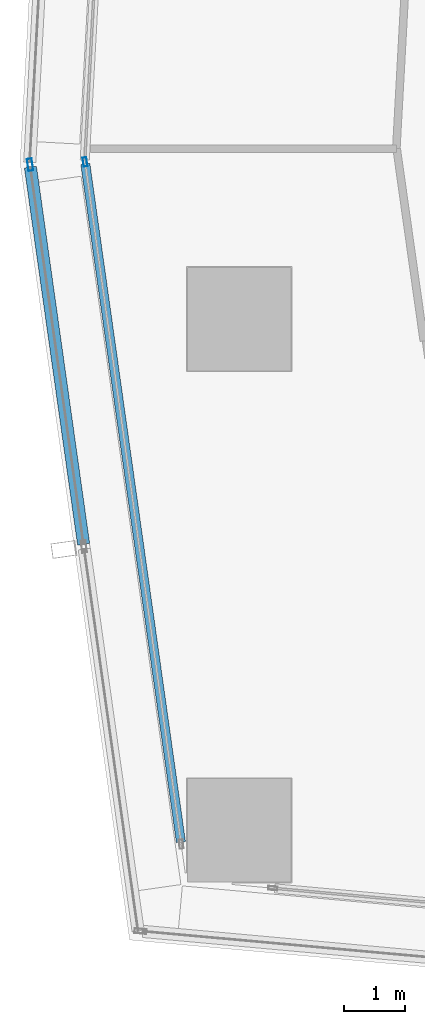
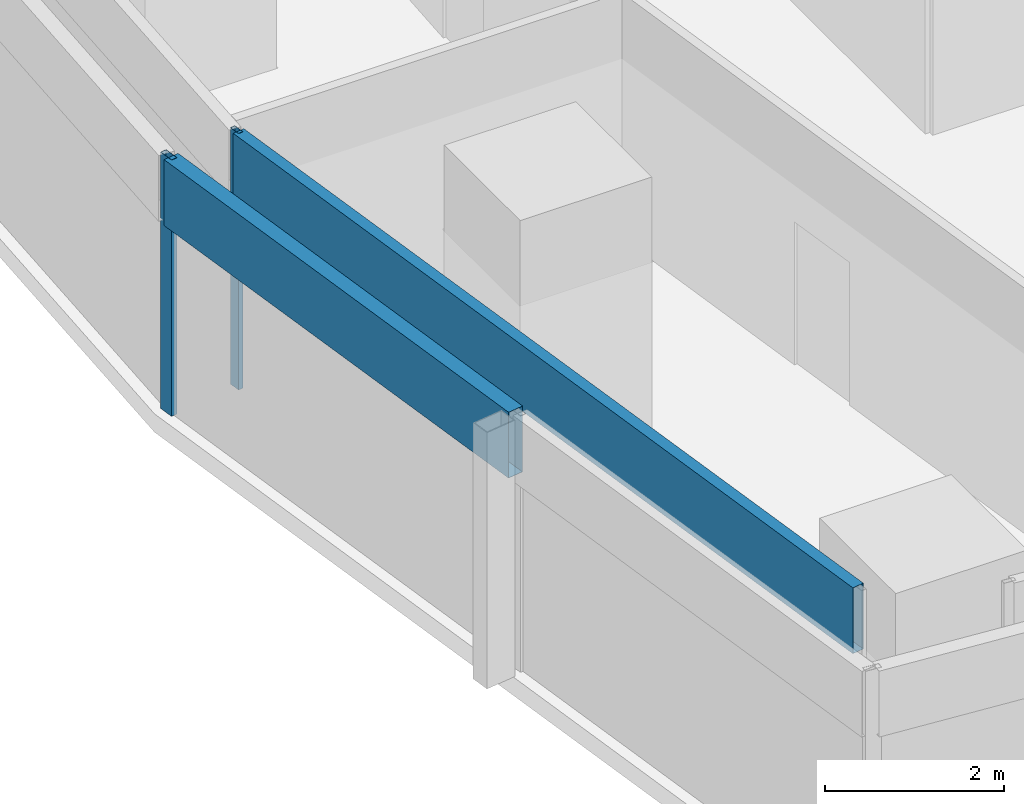
# One storey, part 4 of 40: 4 members, 2 elements without a shape of their own.
"""IFC4 building model written with IfcOpenShell, lengths in metres."""

from ifc_helpers import new_model, si_unit, direction, frame, origin, origin_2d, place, context, subcontext, project, spatial, hollow_rectangle, extrude, material, material_profile, profile_set, type_object, element, aggregate, save


model = new_model("IFC4")

# Units and contexts
model_context = context("Model", 3, precision=1e-05, world=origin(), true_north=direction((0.0, 1.0)))
body_context = subcontext(model_context, "Body", "Model", "MODEL_VIEW")
ifc_project = project(units=[si_unit("LENGTHUNIT", "METRE"), si_unit("AREAUNIT", "SQUARE_METRE"), si_unit("VOLUMEUNIT", "CUBIC_METRE"), si_unit("PLANEANGLEUNIT", "RADIAN"), si_unit("MASSUNIT", "GRAM", prefix="KILO")], contexts=[model_context])

# Site, building, storey
site_placement = place(None, origin())
site = spatial("IfcSite", under=ifc_project, at=site_placement, CompositionType="ELEMENT")
building_placement = place(site_placement, origin())
building = spatial("IfcBuilding", under=site, at=building_placement, Name="Rekha Terrace Tower", CompositionType="ELEMENT")
storey_placement = place(building_placement, frame((0.0, 0.0, 132.800048828125)))
storey = spatial("IfcBuildingStorey", under=building, at=storey_placement, Name="L33", CompositionType="ELEMENT", Elevation=132.800048828125)

# Curtain wall, members
ifc_material_1 = material(Name="Aluminium framing", Category="aluminium")
curtain_wall_type_1 = type_object("IfcCurtainWallType", Name="CW1 double skin inner glazing", PredefinedType="USERDEFINED", material=ifc_material_1)
curtain_wall_1_placement = place(storey_placement, origin())
curtain_wall_1 = element("IfcCurtainWall", 1, at=curtain_wall_1_placement, inside=storey, type_object=curtain_wall_type_1, Name="CW1 double skin inner glazing", ObjectType="DOUBLE SKIN INNER GLAZING", PredefinedType="USERDEFINED")
ifc_material_2 = material(Name="Aluminium mullion section", Category="aluminium")
ifc_material_profile_1 = material_profile(ifc_material_2, hollow_rectangle(XDim=0.06494140625, YDim=0.14990234375, WallThickness=0.00390625, at=origin_2d()), Name="AL RHS 65x150")
ifc_profile_set_1 = profile_set([ifc_material_profile_1], Name="Aluminium mullion section")
member_type_1 = type_object("IfcMemberType", Name="CW1 mullion RHS 65 x 150", PredefinedType="MULLION", material=ifc_profile_set_1)
member_1_placement = place(storey_placement, frame((5.86865234375, 27.78125, 0.0), z_axis=(0.0, 0.0, 1.0), x_axis=(0.990208394312, 0.139597048082, 0.0)))
member_1 = element("IfcMember", 2, at=member_1_placement, type_object=member_type_1, Name="CW1 mullion 1", PredefinedType="MULLION", context=body_context, shape_type="SweptSolid", body=[
    extrude(hollow_rectangle(XDim=0.06494140625, YDim=0.14990234375, WallThickness=0.00390625, at=origin_2d()), origin(), (0.0, 0.0, 1.0), 3.5),
])
ifc_material_3 = material(Name="Insulated aluminium spandrel box", Category="aluminium")
ifc_material_profile_2 = material_profile(ifc_material_3, hollow_rectangle(XDim=0.14990234375, YDim=0.89990234375, WallThickness=0.0029296875, at=origin_2d()), Name="AL SPANDREL BOX 150x900")
ifc_profile_set_2 = profile_set([ifc_material_profile_2], Name="Insulated aluminium spandrel box")
member_type_2 = type_object("IfcMemberType", Name="CW1 spandrel transom 150 x 900", PredefinedType="USERDEFINED", material=ifc_profile_set_2)
member_2_placement = place(storey_placement, frame((5.873046875, 27.7490234375, 3.050048828125), z_axis=(0.139607844155, -0.99020687225, 0.0), x_axis=(0.99020687225, 0.139607844155, 0.0)))
member_2 = element("IfcMember", 3, at=member_2_placement, type_object=member_type_2, Name="CW1 spandrel transom 1", ObjectType="TRANSOM", PredefinedType="USERDEFINED", context=body_context, shape_type="SweptSolid", body=[
    extrude(hollow_rectangle(XDim=0.14990234375, YDim=0.89990234375, WallThickness=0.0029296875, at=origin_2d()), origin(), (0.0, 0.0, 1.0), 11.253173828125),
])
aggregate(curtain_wall_1, [member_1, member_2])

curtain_wall_type_2 = type_object("IfcCurtainWallType", Name="CW2 double skin outer glazing", PredefinedType="USERDEFINED", material=ifc_material_1)
curtain_wall_2_placement = place(storey_placement, origin())
curtain_wall_2 = element("IfcCurtainWall", 4, at=curtain_wall_2_placement, inside=storey, type_object=curtain_wall_type_2, Name="CW2 double skin outer glazing", ObjectType="DOUBLE SKIN OUTER GLAZING", PredefinedType="USERDEFINED")
ifc_material_profile_3 = material_profile(ifc_material_2, hollow_rectangle(XDim=0.080078125, YDim=0.199951171875, WallThickness=0.00390625, at=origin_2d()), Name="AL RHS 80x200")
ifc_profile_set_3 = profile_set([ifc_material_profile_3], Name="Aluminium mullion section")
member_type_3 = type_object("IfcMemberType", Name="CW2 mullion RHS 80 x 200", PredefinedType="MULLION", material=ifc_profile_set_3)
member_3_placement = place(storey_placement, frame((4.96630859375, 27.7353515625, 0.0), z_axis=(0.0, 0.0, 1.0), x_axis=(0.990208394312, 0.139597048082, 0.0)))
member_3 = element("IfcMember", 5, at=member_3_placement, type_object=member_type_3, Name="CW2 mullion 1", PredefinedType="MULLION", context=body_context, shape_type="SweptSolid", body=[
    extrude(hollow_rectangle(XDim=0.080078125, YDim=0.199951171875, WallThickness=0.00390625, at=origin_2d()), origin(), (0.0, 0.0, 1.0), 3.5),
])
ifc_material_profile_4 = material_profile(ifc_material_3, hollow_rectangle(XDim=0.199951171875, YDim=0.89990234375, WallThickness=0.0029296875, at=origin_2d()), Name="AL SPANDREL BOX 200x900")
ifc_profile_set_4 = profile_set([ifc_material_profile_4], Name="Insulated aluminium spandrel box")
member_type_4 = type_object("IfcMemberType", Name="CW2 spandrel transom 200 x 900", PredefinedType="USERDEFINED", material=ifc_profile_set_4)
member_4_placement = place(storey_placement, frame((4.9716796875, 27.695556640625, 3.050048828125), z_axis=(0.139596256865, -0.990208505856, 0.0), x_axis=(0.990208505856, 0.139596256865, 0.0)))
member_4 = element("IfcMember", 6, at=member_4_placement, type_object=member_type_4, Name="CW2 spandrel transom 1", ObjectType="TRANSOM", PredefinedType="USERDEFINED", context=body_context, shape_type="SweptSolid", body=[
    extrude(hollow_rectangle(XDim=0.199951171875, YDim=0.89990234375, WallThickness=0.0029296875, at=origin_2d()), origin(), (0.0, 0.0, 1.0), 6.255859375),
])
aggregate(curtain_wall_2, [member_3, member_4])

save(model, "model.ifc")
